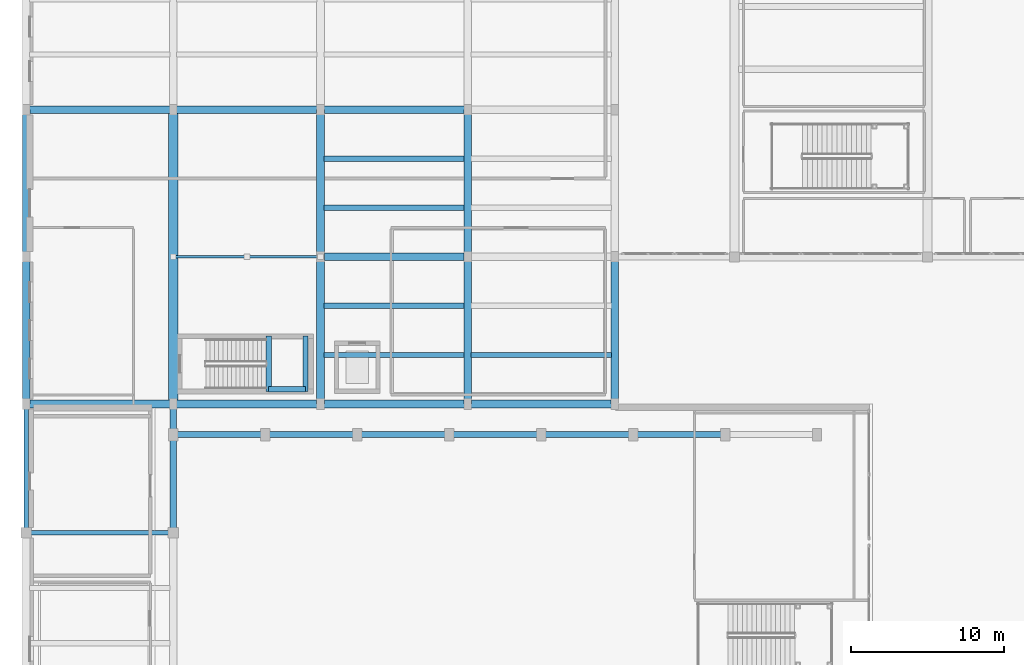
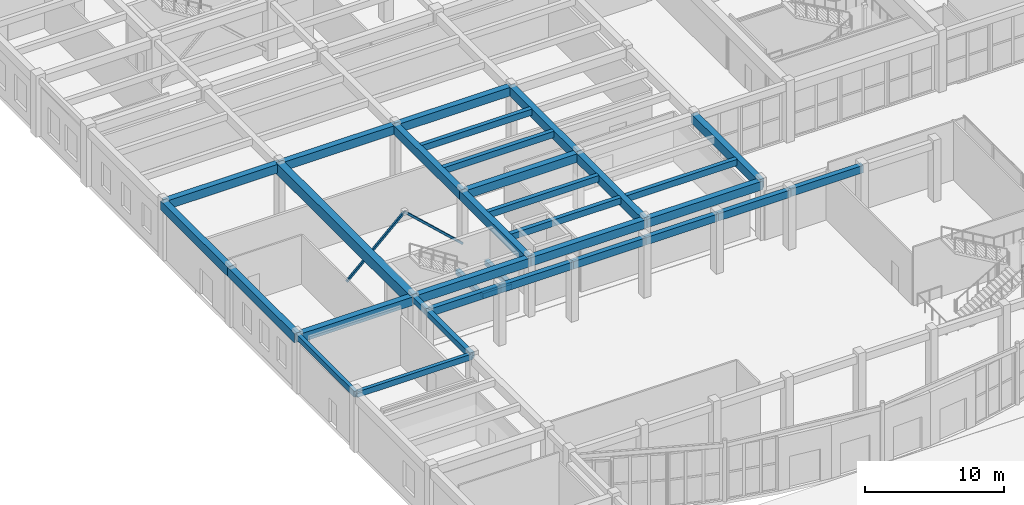
# One storey, part 16 of 98: 34 beams, 2 members.
"""IFC4 building model written with IfcOpenShell, lengths in metres."""

from ifc_helpers import new_model, si_unit, direction, frame, origin, origin_2d, place, context, subcontext, project, spatial, rectangle, hollow_rectangle, extrude, material, material_profile, profile_set, type_object, element, save


model = new_model("IFC4")

# Units and contexts
model_context = context("Model", 3, precision=1e-05, world=origin(), true_north=direction((0.0, 1.0)))
body_context = subcontext(model_context, "Body", "Model", "MODEL_VIEW")
ifc_project = project(units=[si_unit("LENGTHUNIT", "METRE"), si_unit("AREAUNIT", "SQUARE_METRE"), si_unit("VOLUMEUNIT", "CUBIC_METRE"), si_unit("PLANEANGLEUNIT", "RADIAN"), si_unit("MASSUNIT", "GRAM", prefix="KILO")], contexts=[model_context])

# Site, building, storey
site_placement = place(None, origin())
site = spatial("IfcSite", under=ifc_project, at=site_placement, CompositionType="ELEMENT")
building_placement = place(site_placement, origin())
building = spatial("IfcBuilding", under=site, at=building_placement, Name="Tarnavel Promenade Courthouse", CompositionType="ELEMENT")
storey_placement = place(building_placement, origin())
storey = spatial("IfcBuildingStorey", under=building, at=storey_placement, Name="L01", CompositionType="ELEMENT", Elevation=0.0)

# Beams
ifc_material_1 = material(Name="Concrete C40/50", Category="concrete")
ifc_material_profile_1 = material_profile(ifc_material_1, rectangle(XDim=0.35009765625, YDim=0.550048828125, at=origin_2d()), Name="PT 350x550")
ifc_profile_set_1 = profile_set([ifc_material_profile_1], Name="Concrete C40/50")
beam_type_1 = type_object("IfcBeamType", Name="Concrete C40/50 BM-PT-350x550 (PT 350x550)", PredefinedType="JOIST", material=ifc_profile_set_1)
for number, where, z_axis, x_axis, name in (
    (1, (19.419921875, 40.39990234375, 4.820068359375), (1.0, 0.0, 0.0), (0.0, 1.0, 0.0), "L01 Secondary Floor Rib 0913"),
    (2, (19.419921875, 43.60009765625, 4.820068359375), (1.0, 0.0, 0.0), (0.0, 1.0, 0.0), "L01 Secondary Floor Rib 0914"),
):
    element("IfcBeam", number, at=place(storey_placement, frame(where, z_axis=z_axis, x_axis=x_axis)), inside=storey, type_object=beam_type_1, Name=name, PredefinedType="JOIST", context=body_context, shape_type="SweptSolid", body=[
        extrude(rectangle(XDim=0.35009765625, YDim=0.550048828125, at=origin_2d()), origin(), (0.0, 0.0, 1.0), 9.16015625),
    ])
beam_1_placement = place(storey_placement, frame((29.02001953125, 40.39990234375, 4.820068359375), z_axis=(1.0, 0.0, 0.0), x_axis=(0.0, 1.0, 0.0)))
element("IfcBeam", 3, at=beam_1_placement, inside=storey, type_object=beam_type_1, Name="L01 Secondary Floor Rib 0915", PredefinedType="JOIST", context=body_context, shape_type="SweptSolid", body=[
    extrude(rectangle(XDim=0.35009765625, YDim=0.550048828125, at=origin_2d()), origin(), (0.0, 0.0, 1.0), 9.159912109375),
])
for number, where, z_axis, x_axis, name in (
    (4, (19.419921875, 50.0, 4.820068359375), (1.0, 0.0, 0.0), (0.0, 1.0, 0.0), "L01 Secondary Floor Rib 0917"),
    (5, (19.419921875, 53.199951171875, 4.820068359375), (1.0, 0.0, 0.0), (0.0, 1.0, 0.0), "L01 Secondary Floor Rib 0918"),
):
    element("IfcBeam", number, at=place(storey_placement, frame(where, z_axis=z_axis, x_axis=x_axis)), inside=storey, type_object=beam_type_1, Name=name, PredefinedType="JOIST", context=body_context, shape_type="SweptSolid", body=[
        extrude(rectangle(XDim=0.35009765625, YDim=0.550048828125, at=origin_2d()), origin(), (0.0, 0.0, 1.0), 9.16015625),
    ])
ifc_material_profile_2 = material_profile(ifc_material_1, rectangle(XDim=0.5, YDim=0.800048828125, at=origin_2d()), Name="PT 500x800")
ifc_profile_set_2 = profile_set([ifc_material_profile_2], Name="Concrete C40/50")
beam_type_2 = type_object("IfcBeamType", Name="Concrete C40/50 BM-PT-500x800 (PT 500x800)", PredefinedType="T_BEAM", material=ifc_profile_set_2)
beam_2_placement = place(storey_placement, frame((0.0, 37.199951171875, 4.695068359375), z_axis=(0.0, 1.0, 0.0), x_axis=(-1.0, 0.0, 0.0)))
element("IfcBeam", 6, at=beam_2_placement, inside=storey, type_object=beam_type_2, Name="L01 Transverse Girder 0739", PredefinedType="T_BEAM", context=body_context, shape_type="SweptSolid", body=[
    extrude(rectangle(XDim=0.5, YDim=0.800048828125, at=origin_2d()), origin(), (0.0, 0.0, 1.0), 9.60009765625),
])
beam_3_placement = place(storey_placement, frame((0.0, 46.800048828125, 4.695068359375), z_axis=(0.0, 1.0, 0.0), x_axis=(-1.0, 0.0, 0.0)))
element("IfcBeam", 7, at=beam_3_placement, inside=storey, type_object=beam_type_2, Name="L01 Transverse Girder 0740", PredefinedType="T_BEAM", context=body_context, shape_type="SweptSolid", body=[
    extrude(rectangle(XDim=0.5, YDim=0.800048828125, at=origin_2d()), origin(), (0.0, 0.0, 1.0), 9.599853515625),
])
beam_4_placement = place(storey_placement, frame((19.199951171875, 37.199951171875, 4.695068359375), z_axis=(0.0, 1.0, 0.0), x_axis=(-1.0, 0.0, 0.0)))
element("IfcBeam", 8, at=beam_4_placement, inside=storey, type_object=beam_type_2, Name="L01 Transverse Girder 0758", PredefinedType="T_BEAM", context=body_context, shape_type="SweptSolid", body=[
    extrude(rectangle(XDim=0.5, YDim=0.800048828125, at=origin_2d()), origin(), (0.0, 0.0, 1.0), 9.60009765625),
])
beam_5_placement = place(storey_placement, frame((19.199951171875, 46.800048828125, 4.695068359375), z_axis=(0.0, 1.0, 0.0), x_axis=(-1.0, 0.0, 0.0)))
element("IfcBeam", 9, at=beam_5_placement, inside=storey, type_object=beam_type_2, Name="L01 Transverse Girder 0759", PredefinedType="T_BEAM", context=body_context, shape_type="SweptSolid", body=[
    extrude(rectangle(XDim=0.5, YDim=0.800048828125, at=origin_2d()), origin(), (0.0, 0.0, 1.0), 9.599853515625),
])
beam_6_placement = place(storey_placement, frame((28.800048828125, 37.199951171875, 4.695068359375), z_axis=(0.0, 1.0, 0.0), x_axis=(-1.0, 0.0, 0.0)))
element("IfcBeam", 10, at=beam_6_placement, inside=storey, type_object=beam_type_2, Name="L01 Transverse Girder 0765", PredefinedType="T_BEAM", context=body_context, shape_type="SweptSolid", body=[
    extrude(rectangle(XDim=0.5, YDim=0.800048828125, at=origin_2d()), origin(), (0.0, 0.0, 1.0), 9.60009765625),
])
beam_7_placement = place(storey_placement, frame((28.800048828125, 46.800048828125, 4.695068359375), z_axis=(0.0, 1.0, 0.0), x_axis=(-1.0, 0.0, 0.0)))
element("IfcBeam", 11, at=beam_7_placement, inside=storey, type_object=beam_type_2, Name="L01 Transverse Girder 0766", PredefinedType="T_BEAM", context=body_context, shape_type="SweptSolid", body=[
    extrude(rectangle(XDim=0.5, YDim=0.800048828125, at=origin_2d()), origin(), (0.0, 0.0, 1.0), 9.599853515625),
])
beam_8_placement = place(storey_placement, frame((38.39990234375, 37.199951171875, 4.695068359375), z_axis=(0.0, 1.0, 0.0), x_axis=(-1.0, 0.0, 0.0)))
element("IfcBeam", 12, at=beam_8_placement, inside=storey, type_object=beam_type_2, Name="L01 Transverse Girder 0772", PredefinedType="T_BEAM", context=body_context, shape_type="SweptSolid", body=[
    extrude(rectangle(XDim=0.5, YDim=0.800048828125, at=origin_2d()), origin(), (0.0, 0.0, 1.0), 9.60009765625),
])
ifc_material_profile_3 = material_profile(ifc_material_1, rectangle(XDim=0.60009765625, YDim=0.949951171875, at=origin_2d()), Name="PT 600x950")
ifc_profile_set_3 = profile_set([ifc_material_profile_3], Name="Concrete C40/50")
beam_type_3 = type_object("IfcBeamType", Name="Concrete C40/50 BM-PT-600x950 (PT 600x950)", PredefinedType="T_BEAM", material=ifc_profile_set_3)
beam_9_placement = place(storey_placement, frame((9.60009765625, 37.199951171875, 4.6201171875), z_axis=(0.0, 1.0, 0.0), x_axis=(-1.0, 0.0, 0.0)))
element("IfcBeam", 13, at=beam_9_placement, inside=storey, type_object=beam_type_3, Name="L01 Transverse Girder 0752", PredefinedType="T_BEAM", context=body_context, shape_type="SweptSolid", body=[
    extrude(rectangle(XDim=0.60009765625, YDim=0.949951171875, at=origin_2d()), origin(), (0.0, 0.0, 1.0), 19.199951171875),
])
ifc_material_profile_4 = material_profile(ifc_material_1, rectangle(XDim=0.35009765625, YDim=0.449951171875, at=origin_2d()), Name="RC 350x450")
ifc_profile_set_4 = profile_set([ifc_material_profile_4], Name="Concrete C40/50")
beam_type_4 = type_object("IfcBeamType", Name="Concrete C40/50 BM-RC-350x450 (RC 350x450)", PredefinedType="BEAM", material=ifc_profile_set_4)
for number, where, z_axis, x_axis, name in (
    (14, (15.820068359375, 38.02001953125, 2.27001953125), (0.0, 1.0, 0.0), (-1.0, 0.0, 0.0), "L01 ST-05 Mid-Landing Support Beam Near"),
    (15, (18.219970703125, 38.02001953125, 2.27001953125), (0.0, 1.0, 0.0), (-1.0, 0.0, 0.0), "L01 ST-05 Mid-Landing Support Beam Far"),
):
    element("IfcBeam", number, at=place(storey_placement, frame(where, z_axis=z_axis, x_axis=x_axis)), inside=storey, type_object=beam_type_4, Name=name, PredefinedType="BEAM", context=body_context, shape_type="SweptSolid", body=[
        extrude(rectangle(XDim=0.35009765625, YDim=0.449951171875, at=origin_2d()), origin(), (0.0, 0.0, 1.0), 3.60009765625),
    ])
beam_10_placement = place(storey_placement, frame((15.820068359375, 38.169921875, 2.27001953125), z_axis=(1.0, 0.0, 0.0), x_axis=(0.0, 1.0, 0.0)))
element("IfcBeam", 16, at=beam_10_placement, inside=storey, type_object=beam_type_4, Name="L01 ST-05 Mid-Landing Edge Trimmer", PredefinedType="BEAM", context=body_context, shape_type="SweptSolid", body=[
    extrude(rectangle(XDim=0.35009765625, YDim=0.449951171875, at=origin_2d()), origin(), (0.0, 0.0, 1.0), 2.39990234375),
])
ifc_material_profile_5 = material_profile(ifc_material_1, rectangle(XDim=0.39990234375, YDim=0.5, at=origin_2d()), Name="RC 400x500")
ifc_profile_set_5 = profile_set([ifc_material_profile_5], Name="Concrete C40/50")
beam_type_5 = type_object("IfcBeamType", Name="Concrete C40/50 BM-RC-400x500 (RC 400x500)", PredefinedType="BEAM", material=ifc_profile_set_5)
beam_11_placement = place(storey_placement, frame((9.60009765625, 28.800048828125, 4.844970703125), z_axis=(0.0, 1.0, 0.0), x_axis=(-1.0, 0.0, 0.0)))
element("IfcBeam", 17, at=beam_11_placement, inside=storey, type_object=beam_type_5, Name="L01 Transverse Girder 0750", PredefinedType="BEAM", context=body_context, shape_type="SweptSolid", body=[
    extrude(rectangle(XDim=0.39990234375, YDim=0.5, at=origin_2d()), origin(), (0.0, 0.0, 1.0), 6.39990234375),
])
beam_12_placement = place(storey_placement, frame((9.60009765625, 35.199951171875, 4.844970703125), z_axis=(0.0, 1.0, 0.0), x_axis=(-1.0, 0.0, 0.0)))
element("IfcBeam", 18, at=beam_12_placement, inside=storey, type_object=beam_type_5, Name="L01 Transverse Girder 0751", PredefinedType="BEAM", context=body_context, shape_type="SweptSolid", body=[
    extrude(rectangle(XDim=0.39990234375, YDim=0.5, at=origin_2d()), origin(), (0.0, 0.0, 1.0), 2.0),
])
ifc_material_profile_6 = material_profile(ifc_material_1, rectangle(XDim=0.39990234375, YDim=0.64990234375, at=origin_2d()), Name="RC 400x650")
ifc_profile_set_6 = profile_set([ifc_material_profile_6], Name="Concrete C40/50")
beam_type_6 = type_object("IfcBeamType", Name="Concrete C40/50 BM-RC-400x650 (RC 400x650)", PredefinedType="BEAM", material=ifc_profile_set_6)
for number, where, z_axis, x_axis, name in (
    (19, (9.60009765625, 35.199951171875, 4.77001953125), (1.0, 0.0, 0.0), (0.0, 1.0, 0.0), "L01 Primary Longitudinal Beam 0598"),
    (20, (15.60009765625, 35.199951171875, 4.77001953125), (1.0, 0.0, 0.0), (0.0, 1.0, 0.0), "L01 Primary Longitudinal Beam 0599"),
    (21, (21.60009765625, 35.199951171875, 4.77001953125), (1.0, 0.0, 0.0), (0.0, 1.0, 0.0), "L01 Primary Longitudinal Beam 0600"),
    (22, (27.60009765625, 35.199951171875, 4.77001953125), (1.0, 0.0, 0.0), (0.0, 1.0, 0.0), "L01 Primary Longitudinal Beam 0601"),
    (23, (33.60009765625, 35.199951171875, 4.77001953125), (1.0, 0.0, 0.0), (0.0, 1.0, 0.0), "L01 Primary Longitudinal Beam 0602"),
    (24, (39.60009765625, 35.199951171875, 4.81005859375), (1.0, 0.0, 0.0), (0.0, 1.0, 0.0), "L01 Primary Longitudinal Beam 0603"),
):
    element("IfcBeam", number, at=place(storey_placement, frame(where, z_axis=z_axis, x_axis=x_axis)), inside=storey, type_object=beam_type_6, Name=name, PredefinedType="BEAM", context=body_context, shape_type="SweptSolid", body=[
        extrude(rectangle(XDim=0.39990234375, YDim=0.64990234375, at=origin_2d()), origin(), (0.0, 0.0, 1.0), 6.0),
    ])
ifc_material_profile_7 = material_profile(ifc_material_1, rectangle(XDim=0.5, YDim=0.75, at=origin_2d()), Name="RC 500x750")
ifc_profile_set_7 = profile_set([ifc_material_profile_7], Name="Concrete C40/50")
beam_type_7 = type_object("IfcBeamType", Name="Concrete C40/50 BM-RC-500x750 (RC 500x750)", PredefinedType="T_BEAM", material=ifc_profile_set_7)
beam_13_placement = place(storey_placement, frame((0.0, 37.199951171875, 4.719970703125), z_axis=(1.0, 0.0, 0.0), x_axis=(0.0, 1.0, 0.0)))
element("IfcBeam", 25, at=beam_13_placement, inside=storey, type_object=beam_type_7, Name="L01 Primary Longitudinal Beam 0605", PredefinedType="T_BEAM", context=body_context, shape_type="SweptSolid", body=[
    extrude(rectangle(XDim=0.5, YDim=0.75, at=origin_2d()), origin(), (0.0, 0.0, 1.0), 9.60009765625),
])
beam_14_placement = place(storey_placement, frame((9.60009765625, 37.199951171875, 4.719970703125), z_axis=(1.0, 0.0, 0.0), x_axis=(0.0, 1.0, 0.0)))
element("IfcBeam", 26, at=beam_14_placement, inside=storey, type_object=beam_type_7, Name="L01 Primary Longitudinal Beam 0606", PredefinedType="T_BEAM", context=body_context, shape_type="SweptSolid", body=[
    extrude(rectangle(XDim=0.5, YDim=0.75, at=origin_2d()), origin(), (0.0, 0.0, 1.0), 9.599853515625),
])
beam_15_placement = place(storey_placement, frame((19.199951171875, 37.199951171875, 4.719970703125), z_axis=(1.0, 0.0, 0.0), x_axis=(0.0, 1.0, 0.0)))
element("IfcBeam", 27, at=beam_15_placement, inside=storey, type_object=beam_type_7, Name="L01 Primary Longitudinal Beam 0607", PredefinedType="T_BEAM", context=body_context, shape_type="SweptSolid", body=[
    extrude(rectangle(XDim=0.5, YDim=0.75, at=origin_2d()), origin(), (0.0, 0.0, 1.0), 9.60009765625),
])
beam_16_placement = place(storey_placement, frame((28.800048828125, 37.199951171875, 4.719970703125), z_axis=(1.0, 0.0, 0.0), x_axis=(0.0, 1.0, 0.0)))
element("IfcBeam", 28, at=beam_16_placement, inside=storey, type_object=beam_type_7, Name="L01 Primary Longitudinal Beam 0608", PredefinedType="T_BEAM", context=body_context, shape_type="SweptSolid", body=[
    extrude(rectangle(XDim=0.5, YDim=0.75, at=origin_2d()), origin(), (0.0, 0.0, 1.0), 9.599853515625),
])
for number, where, z_axis, x_axis, name in (
    (29, (19.199951171875, 46.800048828125, 4.719970703125), (1.0, 0.0, 0.0), (0.0, 1.0, 0.0), "L01 Primary Longitudinal Beam 0616"),
    (30, (0.0, 56.39990234375, 4.719970703125), (1.0, 0.0, 0.0), (0.0, 1.0, 0.0), "L01 Primary Longitudinal Beam 0626"),
):
    element("IfcBeam", number, at=place(storey_placement, frame(where, z_axis=z_axis, x_axis=x_axis)), inside=storey, type_object=beam_type_7, Name=name, PredefinedType="T_BEAM", context=body_context, shape_type="SweptSolid", body=[
        extrude(rectangle(XDim=0.5, YDim=0.75, at=origin_2d()), origin(), (0.0, 0.0, 1.0), 9.60009765625),
    ])
beam_17_placement = place(storey_placement, frame((9.60009765625, 56.39990234375, 4.719970703125), z_axis=(1.0, 0.0, 0.0), x_axis=(0.0, 1.0, 0.0)))
element("IfcBeam", 31, at=beam_17_placement, inside=storey, type_object=beam_type_7, Name="L01 Primary Longitudinal Beam 0627", PredefinedType="T_BEAM", context=body_context, shape_type="SweptSolid", body=[
    extrude(rectangle(XDim=0.5, YDim=0.75, at=origin_2d()), origin(), (0.0, 0.0, 1.0), 9.599853515625),
])
beam_18_placement = place(storey_placement, frame((19.199951171875, 56.39990234375, 4.719970703125), z_axis=(1.0, 0.0, 0.0), x_axis=(0.0, 1.0, 0.0)))
element("IfcBeam", 32, at=beam_18_placement, inside=storey, type_object=beam_type_7, Name="L01 Primary Longitudinal Beam 0628", PredefinedType="T_BEAM", context=body_context, shape_type="SweptSolid", body=[
    extrude(rectangle(XDim=0.5, YDim=0.75, at=origin_2d()), origin(), (0.0, 0.0, 1.0), 9.60009765625),
])
ifc_material_profile_8 = material_profile(ifc_material_1, rectangle(XDim=0.300048828125, YDim=0.5, at=origin_2d()), Name="RC 300x500")
ifc_profile_set_8 = profile_set([ifc_material_profile_8], Name="Concrete C40/50")
beam_type_8 = type_object("IfcBeamType", Name="Concrete C40/50 BM-SP-300x500 (RC 300x500)", PredefinedType="SPANDREL", material=ifc_profile_set_8)
beam_19_placement = place(storey_placement, frame((0.0, 28.800048828125, 4.844970703125), z_axis=(1.0, 0.0, 0.0), x_axis=(0.0, 1.0, 0.0)))
element("IfcBeam", 33, at=beam_19_placement, inside=storey, type_object=beam_type_8, Name="L01 Primary Longitudinal Beam 0590", PredefinedType="SPANDREL", context=body_context, shape_type="SweptSolid", body=[
    extrude(rectangle(XDim=0.300048828125, YDim=0.5, at=origin_2d()), origin(), (0.0, 0.0, 1.0), 9.60009765625),
])
beam_20_placement = place(storey_placement, frame((0.0, 28.800048828125, 4.844970703125), z_axis=(0.0, 1.0, 0.0), x_axis=(-1.0, 0.0, 0.0)))
element("IfcBeam", 34, at=beam_20_placement, inside=storey, type_object=beam_type_8, Name="L01 Transverse Girder 0738", PredefinedType="SPANDREL", context=body_context, shape_type="SweptSolid", body=[
    extrude(rectangle(XDim=0.300048828125, YDim=0.5, at=origin_2d()), origin(), (0.0, 0.0, 1.0), 8.39990234375),
])

# Members
ifc_material_2 = material(Name="Steel S355J2", Category="steel")
ifc_material_profile_9 = material_profile(ifc_material_2, hollow_rectangle(XDim=0.179931640625, YDim=0.179931640625, WallThickness=0.010009765625, InnerFilletRadius=0.010009765625, OuterFilletRadius=0.02001953125, at=origin_2d()), Name="SHS 180x180x10")
ifc_profile_set_9 = profile_set([ifc_material_profile_9], Name="Steel S355J2")
member_type = type_object("IfcMemberType", Name="Steel S355J2 MEM-BR-SHS180 (SHS 180x180x10)", PredefinedType="BRACE", material=ifc_profile_set_9)
member_1_placement = place(storey_placement, frame((9.60009765625, 46.800048828125, 0.39501953125), z_axis=(0.733327326961, 0.0, 0.679875747127), x_axis=(0.0, 1.0, 0.0)))
element("IfcMember", 35, at=member_1_placement, inside=storey, type_object=member_type, Name="L01 V3 Chevron Brace A 043", PredefinedType="BRACE", context=body_context, shape_type="SweptSolid", body=[
    extrude(hollow_rectangle(XDim=0.179931640625, YDim=0.179931640625, WallThickness=0.010009765625, InnerFilletRadius=0.010009765625, OuterFilletRadius=0.02001953125, at=origin_2d()), origin(), (0.0, 0.0, 1.0), 6.545166015625),
])
member_2_placement = place(storey_placement, frame((19.199951171875, 46.800048828125, 0.39501953125), z_axis=(-0.733344567691, 0.0, 0.679857150465), x_axis=(0.0, -1.0, 0.0)))
element("IfcMember", 36, at=member_2_placement, inside=storey, type_object=member_type, Name="L01 V3 Chevron Brace B 043", PredefinedType="BRACE", context=body_context, shape_type="SweptSolid", body=[
    extrude(hollow_rectangle(XDim=0.179931640625, YDim=0.179931640625, WallThickness=0.010009765625, InnerFilletRadius=0.010009765625, OuterFilletRadius=0.02001953125, at=origin_2d()), origin(), (0.0, 0.0, 1.0), 6.54541015625),
])

save(model, "model.ifc")
